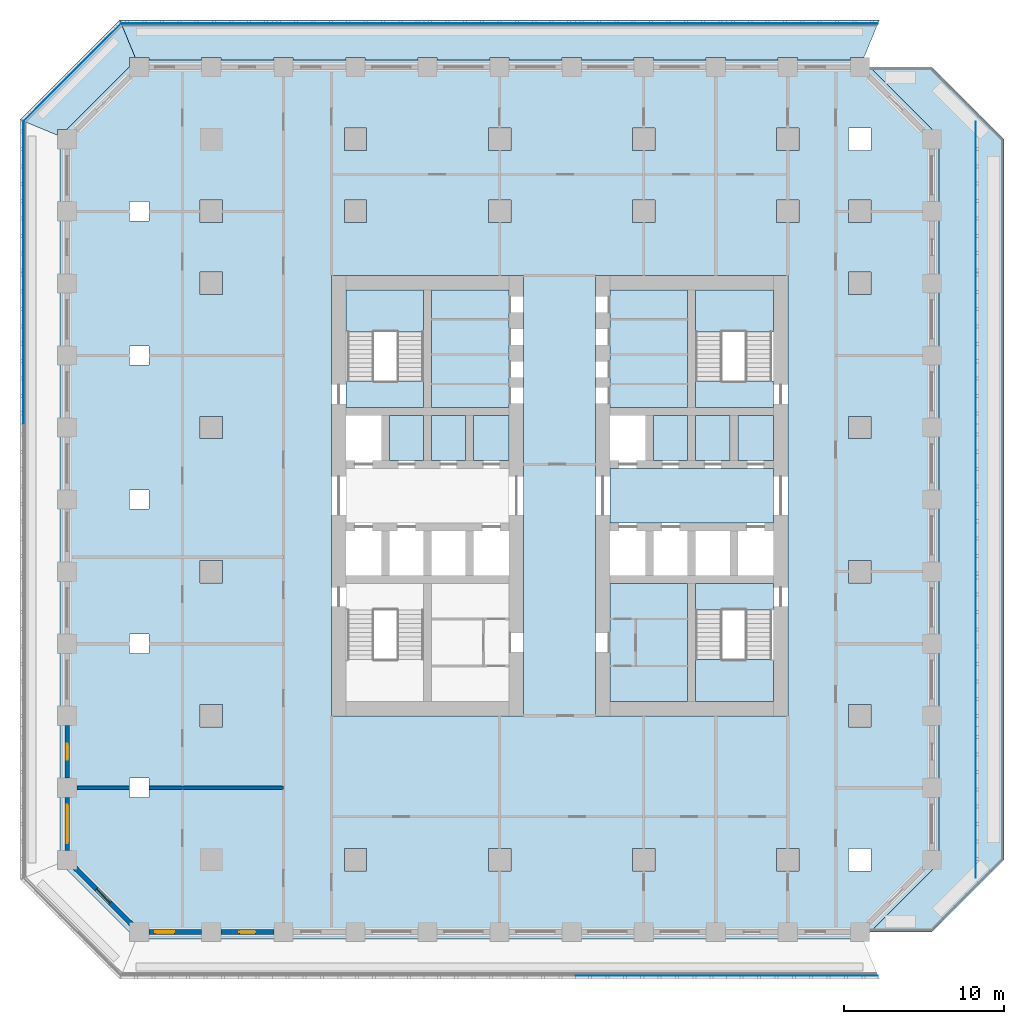
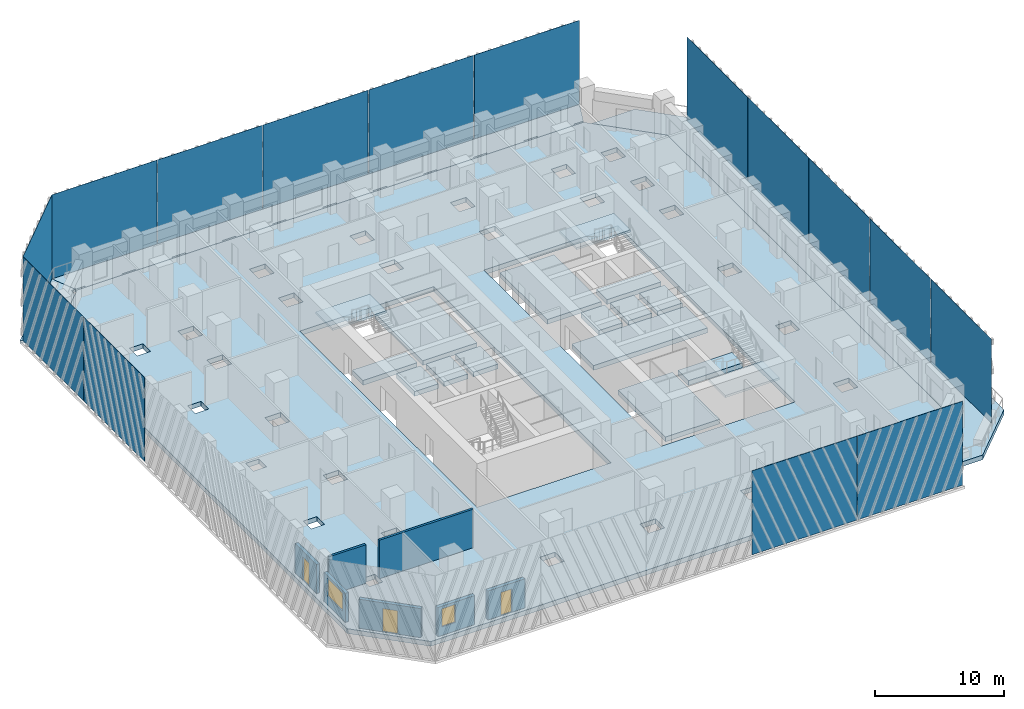
# One storey, part 2 of 19: 20 slabs, 15 plates, 7 walls, 3 doors, 2 windows, 5 openings, 3 elements without a shape of their own.
"""IFC4 building model written with IfcOpenShell, lengths in metres."""

import ifcopenshell
import ifcopenshell.guid

model = None  # the IFC model being written
_history = None  # IfcOwnerHistory: only IFC2X3 demands one
_inside = {}  # id of a spatial element -> (the spatial element, [elements in it])
_under = {}  # id of a project, library or spatial element -> (it, [spatial elements below it])
_declared = {}  # id of a project -> (the project, [libraries it declares])
_typed = {}  # id of a type object -> (the type object, [elements of that type])
_made_of = {}  # id of a material, layer set ... -> (it, [elements and type objects made of it])


def new_model(schema):
    """Start an empty IFC model of exactly this schema.

    Asked for "IFC4X3", IfcOpenShell would pick the latest addendum, in which some entities
    have other attributes; the version numbers below select the first issue.
    IFC2X3 requires an IfcOwnerHistory on every rooted entity: one is made here for all.
    """
    global model, _history
    if schema == "IFC4X3":
        model = ifcopenshell.file(schema_version=(4, 3, 0, 0))
    else:
        model = ifcopenshell.file(schema=schema)
    _inside.clear()
    _under.clear()
    _declared.clear()
    _typed.clear()
    _made_of.clear()
    _history = None
    if model.schema == "IFC2X3":
        org = make("IfcOrganization", Name="unknown")
        user = make(
            "IfcPersonAndOrganization",
            ThePerson=make("IfcPerson", FamilyName="unknown"),
            TheOrganization=org,
        )
        app = make(
            "IfcApplication",
            ApplicationDeveloper=org,
            Version="unknown",
            ApplicationFullName="unknown",
            ApplicationIdentifier="unknown",
        )
        _history = make(
            "IfcOwnerHistory",
            OwningUser=user,
            OwningApplication=app,
            ChangeAction="ADDED",
            CreationDate=0,
        )
    return model


def make(cls, **values):
    """One entity of the class cls with the attributes given. An attribute that is None is left unset."""
    return model.create_entity(
        cls, **{name: value for name, value in values.items() if value is not None}
    )


def rooted(cls, **values):
    """An entity with a GlobalId (a new one), such as an element, a storey or a relation."""
    return make(cls, GlobalId=ifcopenshell.guid.new(), OwnerHistory=_history, **values)


def si_unit(unit_type, name, prefix=None):
    """IfcSIUnit, for example si_unit("LENGTHUNIT", "METRE", prefix="MILLI")."""
    return make("IfcSIUnit", UnitType=unit_type, Prefix=prefix, Name=name)


def assignment(units):
    """IfcUnitAssignment: the units of a project."""
    return None if units is None else make("IfcUnitAssignment", Units=units)


def point(xyz):
    """IfcCartesianPoint."""
    return None if xyz is None else make("IfcCartesianPoint", Coordinates=xyz)


def direction(xyz):
    """IfcDirection."""
    return None if xyz is None else make("IfcDirection", DirectionRatios=xyz)


def frame(location, z_axis=None, x_axis=None):
    """IfcAxis2Placement3D, a coordinate frame: its origin and axes. An axis left out is left unset."""
    return make(
        "IfcAxis2Placement3D",
        Location=point(location),
        Axis=direction(z_axis),
        RefDirection=direction(x_axis),
    )


def frame_2d(location, x_axis=None):
    """IfcAxis2Placement2D, a coordinate frame in the plane: its origin and x axis."""
    return make(
        "IfcAxis2Placement2D", Location=point(location), RefDirection=direction(x_axis)
    )


def origin():
    """The frame at (0, 0, 0) with its axes left unset."""
    return frame((0.0, 0.0, 0.0))


def origin_2d():
    """The frame at (0, 0) in the plane with its x axis left unset."""
    return frame_2d((0.0, 0.0))


def place(relative_to, where):
    """IfcLocalPlacement: puts the frame where relative to a parent placement (None: the world)."""
    return make(
        "IfcLocalPlacement", PlacementRelTo=relative_to, RelativePlacement=where
    )


def context(
    kind, dimensions, precision=None, world=None, true_north=None, identifier=None
):
    """IfcGeometricRepresentationContext, for example the 3D "Model" context."""
    return make(
        "IfcGeometricRepresentationContext",
        ContextIdentifier=identifier,
        ContextType=kind,
        CoordinateSpaceDimension=dimensions,
        Precision=precision,
        WorldCoordinateSystem=world,
        TrueNorth=true_north,
    )


def subcontext(parent, identifier, kind, view, scale=None):
    """IfcGeometricRepresentationSubContext, for example "Body" below "Model"."""
    return make(
        "IfcGeometricRepresentationSubContext",
        ContextIdentifier=identifier,
        ContextType=kind,
        ParentContext=parent,
        TargetScale=scale,
        TargetView=view,
    )


def project(units=None, contexts=None):
    """IfcProject with its units and contexts."""
    return rooted(
        "IfcProject",
        Name="project",
        RepresentationContexts=contexts,
        UnitsInContext=assignment(units),
    )


def spatial(cls, under=None, at=None, **own):
    """A site, building, storey or space (cls), placed at a placement, below another one or the project."""
    s = rooted(cls, ObjectPlacement=at, **own)
    if under is not None:
        _under.setdefault(under.id(), (under, []))[1].append(s)
    return s


def polyline(points):
    """IfcPolyline through the points."""
    return make("IfcPolyline", Points=[point(p) for p in points])


def profile(cls, at=None, kind="AREA", **sizes):
    """A parametric profile (cls). Its sizes go by their IFC names, for example OverallWidth=200.0."""
    return make(cls, ProfileType=kind, Position=at, **sizes)


def rectangle(**sizes):
    """IfcRectangleProfileDef."""
    return profile("IfcRectangleProfileDef", **sizes)


def outline(outer, holes=None, kind="AREA"):
    """IfcArbitraryClosedProfileDef: a profile drawn as a closed curve; with holes, ...WithVoids."""
    if holes is None:
        return make("IfcArbitraryClosedProfileDef", ProfileType=kind, OuterCurve=outer)
    return make(
        "IfcArbitraryProfileDefWithVoids",
        ProfileType=kind,
        OuterCurve=outer,
        InnerCurves=holes,
    )


def extrude(swept, where, along, depth):
    """IfcExtrudedAreaSolid: the profile swept, set in the frame where, extruded along a direction by depth."""
    return make(
        "IfcExtrudedAreaSolid",
        SweptArea=swept,
        Position=where,
        ExtrudedDirection=direction(along),
        Depth=depth,
    )


def shape(context_of_items, identifier, shape_type, items):
    """IfcShapeRepresentation: the items that make up one representation, for example the "Body"."""
    return make(
        "IfcShapeRepresentation",
        ContextOfItems=context_of_items,
        RepresentationIdentifier=identifier,
        RepresentationType=shape_type,
        Items=items,
    )


def material(Name=None, Category=None):
    """IfcMaterial."""
    return make("IfcMaterial", Name=Name, Category=Category)


def layer(
    of_material, thickness, ventilated=None, Name=None, Category=None, Priority=None
):
    """IfcMaterialLayer: one layer of a wall or slab, of a material (None: an air gap)."""
    return make(
        "IfcMaterialLayer",
        Material=of_material,
        LayerThickness=thickness,
        IsVentilated=ventilated,
        Name=Name,
        Category=Category,
        Priority=Priority,
    )


def layer_set(layers, Name=None):
    """IfcMaterialLayerSet."""
    return make("IfcMaterialLayerSet", MaterialLayers=layers, LayerSetName=Name)


def made_of(thing, what):
    """Note that an element or type object is made of a material, layer set ...; save() writes the relation."""
    if what is not None:
        _made_of.setdefault(what.id(), (what, []))[1].append(thing)
    return thing


def type_object(cls, material=None, **own):
    """A type object (cls), such as IfcWallType, which elements share."""
    return made_of(rooted(cls, **own), material)


def element(
    cls,
    number,
    at=None,
    inside=None,
    cuts=None,
    type_object=None,
    material=None,
    context=None,
    identifier="Body",
    shape_type=None,
    held_by="IfcProductDefinitionShape",
    body=None,
    shapes=None,
    **own,
):
    """One element of the class cls, such as IfcWall. Its Tag is "e" and its number.

    at: its placement. inside: the storey or other place that contains it. cuts: it is an
    opening in that element (IfcRelVoidsElement). A single representation is given by context,
    identifier, shape_type and body (its items); several are given by shapes. held_by: the class
    of the entity that holds the representations. save() writes the other relations.
    """
    e = rooted(cls, Tag="e%d" % number, ObjectPlacement=at, **own)
    if body is not None:
        shapes = [shape(context, identifier, shape_type, body)]
    if shapes is not None:
        e.Representation = make(held_by, Representations=shapes)
    if inside is not None:
        _inside.setdefault(inside.id(), (inside, []))[1].append(e)
    if cuts is not None:
        rooted(
            "IfcRelVoidsElement", RelatingBuildingElement=cuts, RelatedOpeningElement=e
        )
    if type_object is not None:
        _typed.setdefault(type_object.id(), (type_object, []))[1].append(e)
    return made_of(e, material)


def fill(opening, filler):
    """IfcRelFillsElement: the door or window that sits in an opening."""
    return rooted(
        "IfcRelFillsElement",
        RelatingOpeningElement=opening,
        RelatedBuildingElement=filler,
    )


def aggregate(whole, parts):
    """IfcRelAggregates: a whole, such as a stair, and the parts it consists of."""
    return rooted("IfcRelAggregates", RelatingObject=whole, RelatedObjects=parts)


def save(model, path):
    """Write the relations noted so far, then the file.

    IfcRelAggregates (storeys below a building ...), IfcRelContainedInSpatialStructure (elements
    in a storey), IfcRelDefinesByType, IfcRelAssociatesMaterial and IfcRelDeclares: one each for
    every whole, place, type object, material and project.
    """
    for whole, parts in _under.values():
        aggregate(whole, parts)
    for where, things in _inside.values():
        rooted(
            "IfcRelContainedInSpatialStructure",
            RelatedElements=things,
            RelatingStructure=where,
        )
    for kind, things in _typed.values():
        rooted("IfcRelDefinesByType", RelatedObjects=things, RelatingType=kind)
    for what, things in _made_of.values():
        rooted("IfcRelAssociatesMaterial", RelatedObjects=things, RelatingMaterial=what)
    for by, libraries in _declared.values():
        rooted("IfcRelDeclares", RelatingContext=by, RelatedDefinitions=libraries)
    model.write(path)


model = new_model("IFC4")

# Units and contexts
model_context = context("Model", 3, precision=1e-05, world=origin(), true_north=direction((0.0, 1.0)))
body_context = subcontext(model_context, "Body", "Model", "MODEL_VIEW")
ifc_project = project(units=[si_unit("LENGTHUNIT", "METRE"), si_unit("AREAUNIT", "SQUARE_METRE"), si_unit("VOLUMEUNIT", "CUBIC_METRE"), si_unit("PLANEANGLEUNIT", "RADIAN"), si_unit("MASSUNIT", "GRAM", prefix="KILO")], contexts=[model_context])

# Site, building, storey
site_placement = place(None, origin())
site = spatial("IfcSite", under=ifc_project, at=site_placement, CompositionType="ELEMENT")
building_placement = place(site_placement, origin())
building = spatial("IfcBuilding", under=site, at=building_placement, Name="Corbel Stack Research Tower", CompositionType="ELEMENT")
storey_placement = place(building_placement, frame((0.0, 0.0, 116.699951171875)))
storey = spatial("IfcBuildingStorey", under=building, at=storey_placement, Name="L26", CompositionType="ELEMENT", Elevation=116.699951171875)

# Plates
ifc_material_1 = material(Name="Fritted glass", Category="glass")
ifc_layer_1 = layer(ifc_material_1, 0.02490234375)
ifc_layer_set_1 = layer_set([ifc_layer_1], Name="Fritted glass")
plate_type = type_object("IfcPlateType", Name="Fritted glass panel 25", PredefinedType="SHEET", material=ifc_layer_set_1)
for number, where, z_axis, x_axis, name in (
    (1, (9.45556640625, -25.237548828125, 0.0), (0.0, 0.0, 1.0), (1.0, 0.0, 0.0), "Fritted glass L26 S4"),
    (2, (18.911376953125, -25.237548828125, 0.0), (0.0, 0.0, 1.0), (1.0, 0.0, 0.0), "Fritted glass L26 S5"),
    (3, (29.737548828125, -14.411376953125, 0.0), (0.0, 0.0, 1.0), (0.0, 1.0, 0.0), "Fritted glass L26 E1"),
    (4, (29.737548828125, -4.95556640625, 0.0), (0.0, 0.0, 1.0), (0.0, 1.0, 0.0), "Fritted glass L26 E2"),
    (5, (29.737548828125, 4.5, 0.0), (0.0, 0.0, 1.0), (0.0, 1.0, 0.0), "Fritted glass L26 E3"),
    (6, (29.737548828125, 13.95556640625, 0.0), (0.0, 0.0, 1.0), (0.0, 1.0, 0.0), "Fritted glass L26 E4"),
    (7, (29.737548828125, 23.411376953125, 0.0), (0.0, 0.0, 1.0), (0.0, 1.0, 0.0), "Fritted glass L26 E5"),
    (8, (18.911376953125, 34.237548828125, 0.0), (0.0, 0.0, 1.0), (-1.0, 0.0, 0.0), "Fritted glass L26 N1"),
    (9, (9.45556640625, 34.237548828125, 0.0), (0.0, 0.0, 1.0), (-1.0, 0.0, 0.0), "Fritted glass L26 N2"),
    (10, (0.0, 34.237548828125, 0.0), (0.0, 0.0, 1.0), (-1.0, 0.0, 0.0), "Fritted glass L26 N3"),
    (11, (-9.45556640625, 34.237548828125, 0.0), (0.0, 0.0, 1.0), (-1.0, 0.0, 0.0), "Fritted glass L26 N4"),
    (12, (-18.911376953125, 34.237548828125, 0.0), (0.0, 0.0, 1.0), (-1.0, 0.0, 0.0), "Fritted glass L26 N5"),
):
    element("IfcPlate", number, at=place(storey_placement, frame(where, z_axis=z_axis, x_axis=x_axis)), inside=storey, type_object=plate_type, Name=name, PredefinedType="SHEET", context=body_context, shape_type="SweptSolid", body=[
        extrude(rectangle(XDim=9.3955078125, YDim=0.02490234375, at=origin_2d()), origin(), (0.0, 0.0, 1.0), 7.949951171875),
    ])
plate_placement = place(storey_placement, frame((-26.685791015625, 31.185791015625, 0.0), z_axis=(0.0, 0.0, 1.0), x_axis=(-0.707106781187, -0.707106781187, 0.0)))
element("IfcPlate", 13, at=plate_placement, inside=storey, type_object=plate_type, Name="Fritted glass L26 NW1", PredefinedType="SHEET", context=body_context, shape_type="SweptSolid", body=[
    extrude(rectangle(XDim=8.58203125, YDim=0.02490234375, at=origin_2d()), origin(), (0.0, 0.0, 1.0), 7.949951171875),
])
for number, where, z_axis, x_axis, name in (
    (14, (-29.737548828125, 23.411376953125, 0.0), (0.0, 0.0, 1.0), (0.0, -1.0, 0.0), "Fritted glass L26 W1"),
    (15, (-29.737548828125, 13.95556640625, 0.0), (0.0, 0.0, 1.0), (0.0, -1.0, 0.0), "Fritted glass L26 W2"),
):
    element("IfcPlate", number, at=place(storey_placement, frame(where, z_axis=z_axis, x_axis=x_axis)), inside=storey, type_object=plate_type, Name=name, PredefinedType="SHEET", context=body_context, shape_type="SweptSolid", body=[
        extrude(rectangle(XDim=9.3955078125, YDim=0.02490234375, at=origin_2d()), origin(), (0.0, 0.0, 1.0), 7.949951171875),
    ])

# Slabs
ifc_material_2 = material(Name="Concrete C45/55", Category="concrete")
ifc_layer_2 = layer(ifc_material_2, 0.25)
ifc_layer_set_2 = layer_set([ifc_layer_2], Name="Concrete C45/55")
slab_type_1 = type_object("IfcSlabType", Name="PT balcony slab 250 C45/55", PredefinedType="FLOOR", material=ifc_layer_set_2)
slab_1_placement = place(storey_placement, frame((0.0, 0.0, -0.25)))
element("IfcSlab", 16, at=slab_1_placement, inside=storey, type_object=slab_type_1, Name="Loggia slab L26 N", PredefinedType="FLOOR", context=body_context, shape_type="SweptSolid", body=[
    extrude(outline(polyline([(-22.74853515625, 32.10009765625), (-21.89990234375, 32.10009765625), (-21.89990234375, 31.949951171875), (-18.60009765625, 31.949951171875), (-18.60009765625, 32.10009765625), (-17.39990234375, 32.10009765625), (-17.39990234375, 31.949951171875), (-14.10009765625, 31.949951171875), (-14.10009765625, 32.10009765625), (-12.89990234375, 32.10009765625), (-12.89990234375, 31.949951171875), (-9.60009765625, 31.949951171875), (-9.60009765625, 32.10009765625), (-8.39990234375, 32.10009765625), (-8.39990234375, 31.949951171875), (-5.10009765625, 31.949951171875), (-5.10009765625, 32.10009765625), (-3.89990234375, 32.10009765625), (-3.89990234375, 31.949951171875), (-0.60009765625, 31.949951171875), (-0.60009765625, 32.10009765625), (0.60009765625, 32.10009765625), (0.60009765625, 31.949951171875), (3.89990234375, 31.949951171875), (3.89990234375, 32.10009765625), (5.10009765625, 32.10009765625), (5.10009765625, 31.949951171875), (8.39990234375, 31.949951171875), (8.39990234375, 32.10009765625), (9.60009765625, 32.10009765625), (9.60009765625, 31.949951171875), (12.89990234375, 31.949951171875), (12.89990234375, 32.10009765625), (14.10009765625, 32.10009765625), (14.10009765625, 31.949951171875), (17.39990234375, 31.949951171875), (17.39990234375, 32.10009765625), (18.60009765625, 32.10009765625), (18.60009765625, 31.949951171875), (21.89990234375, 31.949951171875), (21.89990234375, 32.10009765625), (22.74853515625, 32.10009765625), (23.721923828125, 34.449951171875), (-23.721923828125, 34.449951171875), (-22.74853515625, 32.10009765625)])), origin(), (0.0, 0.0, 1.0), 0.25),
])
slab_2_placement = place(storey_placement, frame((0.0, 0.0, -0.25)))
element("IfcSlab", 17, at=slab_2_placement, inside=storey, type_object=slab_type_1, Name="Loggia slab L26 NW", PredefinedType="FLOOR", context=body_context, shape_type="SweptSolid", body=[
    extrude(outline(polyline([(-27.60009765625, 27.24853515625), (-27.60009765625, 27.60009765625), (-27.036376953125, 27.60009765625), (-23.10009765625, 31.536376953125), (-23.10009765625, 32.10009765625), (-22.74853515625, 32.10009765625), (-23.721923828125, 34.449951171875), (-29.949951171875, 28.221923828125), (-27.60009765625, 27.24853515625)])), origin(), (0.0, 0.0, 1.0), 0.25),
])
ifc_material_3 = material(Name="Concrete C45/55", Category="concrete")
ifc_layer_3 = layer(ifc_material_3, 0.449951171875)
ifc_layer_set_3 = layer_set([ifc_layer_3], Name="Concrete C45/55")
slab_type_2 = type_object("IfcSlabType", Name="PT-450", PredefinedType="FLOOR", material=ifc_layer_set_3)
slab_3_placement = place(storey_placement, frame((0.0, 0.0, -0.449951171875)))
element("IfcSlab", 18, at=slab_3_placement, inside=storey, type_object=slab_type_2, Name="Floor slab L26", PredefinedType="FLOOR", context=body_context, shape_type="SweptSolid", body=[
    extrude(outline(polyline([(-22.686279296875, -22.949951171875), (22.686279296875, -22.949951171875), (27.449951171875, -18.186279296875), (27.449951171875, 27.186279296875), (22.686279296875, 31.949951171875), (-22.686279296875, 31.949951171875), (-27.449951171875, 27.186279296875), (-27.449951171875, -18.186279296875), (-22.686279296875, -22.949951171875)]), holes=[polyline([(21.800048828125, 26.300048828125), (21.800048828125, 27.699951171875), (23.199951171875, 27.699951171875), (23.199951171875, 26.300048828125), (21.800048828125, 26.300048828125)]), polyline([(21.800048828125, -18.699951171875), (21.800048828125, -17.300048828125), (23.199951171875, -17.300048828125), (23.199951171875, -18.699951171875), (21.800048828125, -18.699951171875)]), polyline([(21.800048828125, -9.699951171875), (21.800048828125, -8.300048828125), (23.199951171875, -8.300048828125), (23.199951171875, -9.699951171875), (21.800048828125, -9.699951171875)]), polyline([(21.800048828125, -0.699951171875), (21.800048828125, 0.699951171875), (23.199951171875, 0.699951171875), (23.199951171875, -0.699951171875), (21.800048828125, -0.699951171875)]), polyline([(21.800048828125, 8.300048828125), (21.800048828125, 9.699951171875), (23.199951171875, 9.699951171875), (23.199951171875, 8.300048828125), (21.800048828125, 8.300048828125)]), polyline([(21.800048828125, 17.300048828125), (21.800048828125, 18.699951171875), (23.199951171875, 18.699951171875), (23.199951171875, 17.300048828125), (21.800048828125, 17.300048828125)]), polyline([(21.800048828125, 21.800048828125), (21.800048828125, 23.199951171875), (23.199951171875, 23.199951171875), (23.199951171875, 21.800048828125), (21.800048828125, 21.800048828125)]), polyline([(17.300048828125, 26.300048828125), (17.300048828125, 27.699951171875), (18.699951171875, 27.699951171875), (18.699951171875, 26.300048828125), (17.300048828125, 26.300048828125)]), polyline([(17.300048828125, 21.800048828125), (17.300048828125, 23.199951171875), (18.699951171875, 23.199951171875), (18.699951171875, 21.800048828125), (17.300048828125, 21.800048828125)]), polyline([(17.300048828125, -18.699951171875), (17.300048828125, -17.300048828125), (18.699951171875, -17.300048828125), (18.699951171875, -18.699951171875), (17.300048828125, -18.699951171875)]), polyline([(6.0, -9.0), (6.0, 18.5), (18.0, 18.5), (18.0, -9.0), (6.0, -9.0)]), polyline([(8.300048828125, 26.300048828125), (8.300048828125, 27.699951171875), (9.699951171875, 27.699951171875), (9.699951171875, 26.300048828125), (8.300048828125, 26.300048828125)]), polyline([(8.300048828125, 21.800048828125), (8.300048828125, 23.199951171875), (9.699951171875, 23.199951171875), (9.699951171875, 21.800048828125), (8.300048828125, 21.800048828125)]), polyline([(8.300048828125, -18.699951171875), (8.300048828125, -17.300048828125), (9.699951171875, -17.300048828125), (9.699951171875, -18.699951171875), (8.300048828125, -18.699951171875)]), polyline([(-10.5, -9.0), (-10.5, 18.5), (1.5, 18.5), (1.5, -9.0), (-10.5, -9.0)]), polyline([(-0.699951171875, 26.300048828125), (-0.699951171875, 27.699951171875), (0.699951171875, 27.699951171875), (0.699951171875, 26.300048828125), (-0.699951171875, 26.300048828125)]), polyline([(-0.699951171875, 21.800048828125), (-0.699951171875, 23.199951171875), (0.699951171875, 23.199951171875), (0.699951171875, 21.800048828125), (-0.699951171875, 21.800048828125)]), polyline([(-0.699951171875, -18.699951171875), (-0.699951171875, -17.300048828125), (0.699951171875, -17.300048828125), (0.699951171875, -18.699951171875), (-0.699951171875, -18.699951171875)]), polyline([(-9.699951171875, 26.300048828125), (-9.699951171875, 27.699951171875), (-8.300048828125, 27.699951171875), (-8.300048828125, 26.300048828125), (-9.699951171875, 26.300048828125)]), polyline([(-9.699951171875, 21.800048828125), (-9.699951171875, 23.199951171875), (-8.300048828125, 23.199951171875), (-8.300048828125, 21.800048828125), (-9.699951171875, 21.800048828125)]), polyline([(-8.300048828125, -18.699951171875), (-9.699951171875, -18.699951171875), (-9.699951171875, -17.300048828125), (-8.300048828125, -17.300048828125), (-8.300048828125, -18.699951171875)]), polyline([(-18.699951171875, 21.800048828125), (-18.699951171875, 23.199951171875), (-17.300048828125, 23.199951171875), (-17.300048828125, 21.800048828125), (-18.699951171875, 21.800048828125)]), polyline([(-18.699951171875, 17.300048828125), (-18.699951171875, 18.699951171875), (-17.300048828125, 18.699951171875), (-17.300048828125, 17.300048828125), (-18.699951171875, 17.300048828125)]), polyline([(-18.699951171875, 8.300048828125), (-18.699951171875, 9.699951171875), (-17.300048828125, 9.699951171875), (-17.300048828125, 8.300048828125), (-18.699951171875, 8.300048828125)]), polyline([(-18.699951171875, -0.699951171875), (-18.699951171875, 0.699951171875), (-17.300048828125, 0.699951171875), (-17.300048828125, -0.699951171875), (-18.699951171875, -0.699951171875)]), polyline([(-18.699951171875, -9.699951171875), (-18.699951171875, -8.300048828125), (-17.300048828125, -8.300048828125), (-17.300048828125, -9.699951171875), (-18.699951171875, -9.699951171875)]), polyline([(-23.10009765625, 21.89990234375), (-23.10009765625, 23.10009765625), (-21.89990234375, 23.10009765625), (-21.89990234375, 21.89990234375), (-23.10009765625, 21.89990234375)]), polyline([(-23.10009765625, 12.89990234375), (-23.10009765625, 14.10009765625), (-21.89990234375, 14.10009765625), (-21.89990234375, 12.89990234375), (-23.10009765625, 12.89990234375)]), polyline([(-23.10009765625, 3.89990234375), (-23.10009765625, 5.10009765625), (-21.89990234375, 5.10009765625), (-21.89990234375, 3.89990234375), (-23.10009765625, 3.89990234375)]), polyline([(-23.10009765625, -5.10009765625), (-23.10009765625, -3.89990234375), (-21.89990234375, -3.89990234375), (-21.89990234375, -5.10009765625), (-23.10009765625, -5.10009765625)]), polyline([(-23.10009765625, -14.10009765625), (-23.10009765625, -12.89990234375), (-21.89990234375, -12.89990234375), (-21.89990234375, -14.10009765625), (-23.10009765625, -14.10009765625)])]), origin(), (0.0, 0.0, 1.0), 0.449951171875),
])
slab_4_placement = place(storey_placement, frame((0.0, 0.0, -0.449951171875)))
element("IfcSlab", 19, at=slab_4_placement, inside=storey, type_object=slab_type_2, Name="West core floor L26", PredefinedType="FLOOR", context=body_context, shape_type="SweptSolid", body=[
    extrude(outline(polyline([(-6.875, 6.949951171875), (-4.75, 6.949951171875), (-4.75, 9.75), (-6.875, 9.75), (-6.875, 6.949951171875)])), origin(), (0.0, 0.0, 1.0), 0.449951171875),
])
slab_5_placement = place(storey_placement, frame((0.0, 0.0, -0.449951171875)))
element("IfcSlab", 20, at=slab_5_placement, inside=storey, type_object=slab_type_2, Name="West core floor L26", PredefinedType="FLOOR", context=body_context, shape_type="SweptSolid", body=[
    extrude(outline(polyline([(-2.125, 6.949951171875), (-2.125, 9.75), (-4.25, 9.75), (-4.25, 6.949951171875), (-2.125, 6.949951171875)])), origin(), (0.0, 0.0, 1.0), 0.449951171875),
])
slab_6_placement = place(storey_placement, frame((0.0, 0.0, -0.449951171875)))
element("IfcSlab", 21, at=slab_6_placement, inside=storey, type_object=slab_type_2, Name="West core floor L26", PredefinedType="FLOOR", context=body_context, shape_type="SweptSolid", body=[
    extrude(outline(polyline([(0.60009765625, 17.60009765625), (-4.25, 17.60009765625), (-4.25, 10.25), (0.60009765625, 10.25), (0.60009765625, 17.60009765625)])), origin(), (0.0, 0.0, 1.0), 0.449951171875),
])
slab_7_placement = place(storey_placement, frame((0.0, 0.0, -0.449951171875)))
element("IfcSlab", 22, at=slab_7_placement, inside=storey, type_object=slab_type_2, Name="West core floor L26", PredefinedType="FLOOR", context=body_context, shape_type="SweptSolid", body=[
    extrude(outline(polyline([(0.60009765625, 9.75), (-1.625, 9.75), (-1.625, 6.949951171875), (0.60009765625, 6.949951171875), (0.60009765625, 9.75)])), origin(), (0.0, 0.0, 1.0), 0.449951171875),
])
slab_8_placement = place(storey_placement, frame((0.0, 0.0, -0.449951171875)))
element("IfcSlab", 23, at=slab_8_placement, inside=storey, type_object=slab_type_2, Name="East core floor L26", PredefinedType="FLOOR", context=body_context, shape_type="SweptSolid", body=[
    extrude(outline(polyline([(11.75, -0.75), (6.89990234375, -0.75), (6.89990234375, -8.10009765625), (11.75, -8.10009765625), (11.75, -0.75)])), origin(), (0.0, 0.0, 1.0), 0.449951171875),
])
slab_9_placement = place(storey_placement, frame((0.0, 0.0, -0.449951171875)))
element("IfcSlab", 24, at=slab_9_placement, inside=storey, type_object=slab_type_2, Name="East core floor L26", PredefinedType="FLOOR", context=body_context, shape_type="SweptSolid", body=[
    extrude(outline(polyline([(6.89990234375, 6.449951171875), (6.89990234375, 3.050048828125), (17.10009765625, 3.050048828125), (17.10009765625, 6.449951171875), (6.89990234375, 6.449951171875)])), origin(), (0.0, 0.0, 1.0), 0.449951171875),
])
slab_10_placement = place(storey_placement, frame((0.0, 0.0, -0.449951171875)))
element("IfcSlab", 25, at=slab_10_placement, inside=storey, type_object=slab_type_2, Name="East core floor L26", PredefinedType="FLOOR", context=body_context, shape_type="SweptSolid", body=[
    extrude(outline(polyline([(6.89990234375, 17.60009765625), (6.89990234375, 10.25), (11.75, 10.25), (11.75, 17.60009765625), (6.89990234375, 17.60009765625)])), origin(), (0.0, 0.0, 1.0), 0.449951171875),
])
slab_11_placement = place(storey_placement, frame((0.0, 0.0, -0.449951171875)))
element("IfcSlab", 26, at=slab_11_placement, inside=storey, type_object=slab_type_2, Name="East core floor L26", PredefinedType="FLOOR", context=body_context, shape_type="SweptSolid", body=[
    extrude(outline(polyline([(9.625, 6.949951171875), (11.75, 6.949951171875), (11.75, 9.75), (9.625, 9.75), (9.625, 6.949951171875)])), origin(), (0.0, 0.0, 1.0), 0.449951171875),
])
slab_12_placement = place(storey_placement, frame((0.0, 0.0, -0.449951171875)))
element("IfcSlab", 27, at=slab_12_placement, inside=storey, type_object=slab_type_2, Name="East core floor L26", PredefinedType="FLOOR", context=body_context, shape_type="SweptSolid", body=[
    extrude(outline(polyline([(14.375, 6.949951171875), (14.375, 9.75), (12.25, 9.75), (12.25, 6.949951171875), (14.375, 6.949951171875)])), origin(), (0.0, 0.0, 1.0), 0.449951171875),
])
slab_13_placement = place(storey_placement, frame((0.0, 0.0, -0.449951171875)))
element("IfcSlab", 28, at=slab_13_placement, inside=storey, type_object=slab_type_2, Name="East core floor L26", PredefinedType="FLOOR", context=body_context, shape_type="SweptSolid", body=[
    extrude(outline(polyline([(17.10009765625, 6.949951171875), (17.10009765625, 9.75), (14.875, 9.75), (14.875, 6.949951171875), (17.10009765625, 6.949951171875)])), origin(), (0.0, 0.0, 1.0), 0.449951171875),
])
slab_14_placement = place(storey_placement, frame((0.0, 0.0, -0.449951171875)))
element("IfcSlab", 29, at=slab_14_placement, inside=storey, type_object=slab_type_2, Name="Stair floor landing ST-W2", PredefinedType="FLOOR", context=body_context, shape_type="SweptSolid", body=[
    extrude(outline(polyline([(-9.60009765625, 10.25), (-4.75, 10.25), (-4.75, 11.89990234375), (-9.60009765625, 11.89990234375), (-9.60009765625, 10.25)])), origin(), (0.0, 0.0, 1.0), 0.449951171875),
])
slab_15_placement = place(storey_placement, frame((0.0, 0.0, -0.449951171875)))
element("IfcSlab", 30, at=slab_15_placement, inside=storey, type_object=slab_type_2, Name="Stair floor landing ST-E1", PredefinedType="FLOOR", context=body_context, shape_type="SweptSolid", body=[
    extrude(outline(polyline([(12.25, -2.39990234375), (17.10009765625, -2.39990234375), (17.10009765625, -0.75), (12.25, -0.75), (12.25, -2.39990234375)])), origin(), (0.0, 0.0, 1.0), 0.449951171875),
])
slab_16_placement = place(storey_placement, frame((0.0, 0.0, -0.449951171875)))
element("IfcSlab", 31, at=slab_16_placement, inside=storey, type_object=slab_type_2, Name="Stair floor landing ST-E2", PredefinedType="FLOOR", context=body_context, shape_type="SweptSolid", body=[
    extrude(outline(polyline([(12.25, 10.25), (17.10009765625, 10.25), (17.10009765625, 11.89990234375), (12.25, 11.89990234375), (12.25, 10.25)])), origin(), (0.0, 0.0, 1.0), 0.449951171875),
])

# Stair, slab
ifc_material_4 = material(Name="Concrete C40/50", Category="concrete")
stair_type = type_object("IfcStairType", Name="Exit stair 24 risers", PredefinedType="HALF_TURN_STAIR", material=ifc_material_4)
stair_1_placement = place(storey_placement, origin())
stair_1 = element("IfcStair", 32, at=stair_1_placement, inside=storey, type_object=stair_type, Name="L26 Exit stair ST-W2", PredefinedType="HALF_TURN_STAIR")
ifc_material_5 = material(Name="Concrete C40/50", Category="concrete")
ifc_layer_4 = layer(ifc_material_5, 0.199951171875)
ifc_layer_set_4 = layer_set([ifc_layer_4], Name="Concrete C40/50")
slab_type_3 = type_object("IfcSlabType", Name="Stair landing 200 C40/50", PredefinedType="LANDING", material=ifc_layer_set_4)
slab_17_placement = place(storey_placement, frame((0.0, 0.0, 1.85009765625)))
slab_17 = element("IfcSlab", 33, at=slab_17_placement, type_object=slab_type_3, Name="ST-W2 landing 1", PredefinedType="LANDING", context=body_context, shape_type="SweptSolid", body=[
    extrude(outline(polyline([(-9.60009765625, 14.97998046875), (-9.60009765625, 17.60009765625), (-4.75, 17.60009765625), (-4.75, 14.97998046875), (-9.60009765625, 14.97998046875)])), origin(), (0.0, 0.0, 1.0), 0.199951171875),
])
aggregate(stair_1, [slab_17])

stair_2_placement = place(storey_placement, origin())
stair_2 = element("IfcStair", 34, at=stair_2_placement, inside=storey, type_object=stair_type, Name="L26 Exit stair ST-E1", PredefinedType="HALF_TURN_STAIR")
slab_18_placement = place(storey_placement, frame((0.0, 0.0, 1.85009765625)))
slab_18 = element("IfcSlab", 35, at=slab_18_placement, type_object=slab_type_3, Name="ST-E1 landing 1", PredefinedType="LANDING", context=body_context, shape_type="SweptSolid", body=[
    extrude(outline(polyline([(12.25, -8.10009765625), (12.25, -5.47998046875), (17.10009765625, -5.47998046875), (17.10009765625, -8.10009765625), (12.25, -8.10009765625)])), origin(), (0.0, 0.0, 1.0), 0.199951171875),
])
aggregate(stair_2, [slab_18])

stair_3_placement = place(storey_placement, origin())
stair_3 = element("IfcStair", 36, at=stair_3_placement, inside=storey, type_object=stair_type, Name="L26 Exit stair ST-E2", PredefinedType="HALF_TURN_STAIR")
slab_19_placement = place(storey_placement, frame((0.0, 0.0, 1.85009765625)))
slab_19 = element("IfcSlab", 37, at=slab_19_placement, type_object=slab_type_3, Name="ST-E2 landing 1", PredefinedType="LANDING", context=body_context, shape_type="SweptSolid", body=[
    extrude(outline(polyline([(12.25, 14.97998046875), (12.25, 17.60009765625), (17.10009765625, 17.60009765625), (17.10009765625, 14.97998046875), (12.25, 14.97998046875)])), origin(), (0.0, 0.0, 1.0), 0.199951171875),
])
aggregate(stair_3, [slab_19])

# Slab
ifc_material_6 = material(Name="Concrete C45/55", Category="concrete")
ifc_layer_5 = layer(ifc_material_6, 0.449951171875)
ifc_layer_set_5 = layer_set([ifc_layer_5], Name="Concrete C45/55")
slab_type_4 = type_object("IfcSlabType", Name="TS-450", PredefinedType="ROOF", material=ifc_layer_set_5)
slab_20_placement = place(storey_placement, frame((0.0, 0.0, -0.449951171875)))
element("IfcSlab", 38, at=slab_20_placement, inside=storey, type_object=slab_type_4, Name="Terrace slab L26", PredefinedType="ROOF", context=body_context, shape_type="SweptSolid", body=[
    extrude(outline(polyline([(23.136474609375, 31.5), (27.449951171875, 27.186279296875), (27.449951171875, -18.186279296875), (23.136474609375, -22.5), (27.0, -22.5), (31.5, -18.0), (31.5, 27.0), (27.0, 31.5), (23.136474609375, 31.5)])), origin(), (0.0, 0.0, 1.0), 0.449951171875),
])

# Walls
ifc_material_7 = material(Name="Fire-rated gypsum board partition on steel studs", Category="steel")
ifc_layer_6 = layer(ifc_material_7, 0.199951171875)
ifc_layer_set_6 = layer_set([ifc_layer_6], Name="Fire-rated gypsum board partition on steel studs")
wall_type_1 = type_object("IfcWallType", Name="Fire-rated partition 200 EI 60", PredefinedType="PARTITIONING", material=ifc_layer_set_6)
wall_1_placement = place(storey_placement, frame((-26.39990234375, -13.5, 0.0), z_axis=(0.0, 0.0, 1.0), x_axis=(1.0, 0.0, 0.0)))
element("IfcWall", 39, at=wall_1_placement, inside=storey, type_object=wall_type_1, Name="Partition L26-024", PredefinedType="PARTITIONING", context=body_context, shape_type="SweptSolid", body=[
    extrude(rectangle(XDim=3.2998046875, YDim=0.199951171875, at=frame_2d((1.64990234375, 0.0))), origin(), (0.0, 0.0, 1.0), 3.650146484375),
])
wall_2_placement = place(storey_placement, frame((-21.89990234375, -13.5, 0.0), z_axis=(0.0, 0.0, 1.0), x_axis=(1.0, 0.0, 0.0)))
element("IfcWall", 40, at=wall_2_placement, inside=storey, type_object=wall_type_1, Name="Partition L26-025", PredefinedType="PARTITIONING", context=body_context, shape_type="SweptSolid", body=[
    extrude(rectangle(XDim=8.39990234375, YDim=0.199951171875, at=frame_2d((4.199951171875, 0.0))), origin(), (0.0, 0.0, 1.0), 3.650146484375),
])

# Wall, opening, window
ifc_material_8 = material(Name="Concrete C45/55", Category="concrete")
ifc_layer_7 = layer(ifc_material_8, 0.300048828125)
ifc_layer_set_7 = layer_set([ifc_layer_7], Name="Concrete C45/55")
wall_type_2 = type_object("IfcWallType", Name="Terracotta-faced concrete wall 300", PredefinedType="SOLIDWALL", material=ifc_layer_set_7)
wall_3_placement = place(storey_placement, frame((-18.60009765625, -22.5, 0.0), z_axis=(0.0, 0.0, 1.0), x_axis=(-1.0, 0.0, 0.0)))
wall_3 = element("IfcWall", 41, at=wall_3_placement, inside=storey, type_object=wall_type_2, Name="Facade wall L26 S01", PredefinedType="SOLIDWALL", context=body_context, shape_type="SweptSolid", body=[
    extrude(rectangle(XDim=3.2998046875, YDim=0.300048828125, at=frame_2d((1.64990234375, 0.0))), origin(), (0.0, 0.0, 1.0), 2.75),
])
opening_1_placement = place(wall_3_placement, frame((1.71240234375, 0.0, 0.800048828125)))
opening_1 = element("IfcOpeningElement", 42, at=opening_1_placement, cuts=wall_3, Name="Opening W2", PredefinedType="OPENING", context=body_context, shape_type="SweptSolid", body=[
    extrude(rectangle(XDim=1.199951171875, YDim=1.699951171875, at=frame_2d((0.60009765625, 0.85009765625))), frame((0.0, 0.159912109375, 0.0), z_axis=(0.0, -1.0, 0.0), x_axis=(1.0, 0.0, 0.0)), (0.0, 0.0, 1.0), 0.320068359375),
])
ifc_material_9 = material(Name="Aluminium frame, clear double glazing", Category="aluminium")
window_type_1 = type_object("IfcWindowType", Name="Window W2 1200 x 1700", PartitioningType="SINGLE_PANEL", PredefinedType="WINDOW", material=ifc_material_9)
window_1_placement = place(opening_1_placement, origin())
window_1 = element("IfcWindow", 43, at=window_1_placement, inside=storey, type_object=window_type_1, Name="Window W2 L26 S01", OverallHeight=1.699951171875, OverallWidth=1.199951171875, PartitioningType="SINGLE_PANEL", PredefinedType="WINDOW", context=body_context, shape_type="SweptSolid", body=[
    extrude(rectangle(XDim=1.199951171875, YDim=1.699951171875, at=frame_2d((0.60009765625, 0.85009765625))), frame((0.0, 0.030029296875, 0.0), z_axis=(0.0, -1.0, 0.0), x_axis=(1.0, 0.0, 0.0)), (0.0, 0.0, 1.0), 0.06005859375),
])
fill(opening_1, window_1)

# Wall, opening, door
wall_4_placement = place(storey_placement, frame((-14.10009765625, -22.5, 0.0), z_axis=(0.0, 0.0, 1.0), x_axis=(-1.0, 0.0, 0.0)))
wall_4 = element("IfcWall", 44, at=wall_4_placement, inside=storey, type_object=wall_type_2, Name="Facade wall L26 S02", PredefinedType="SOLIDWALL", context=body_context, shape_type="SweptSolid", body=[
    extrude(rectangle(XDim=3.2998046875, YDim=0.300048828125, at=frame_2d((1.64990234375, 0.0))), origin(), (0.0, 0.0, 1.0), 2.75),
])
opening_2_placement = place(wall_4_placement, frame((1.14990234375, 0.0, 0.0)))
opening_2 = element("IfcOpeningElement", 45, at=opening_2_placement, cuts=wall_4, Name="Opening L26-B01", PredefinedType="OPENING", context=body_context, shape_type="SweptSolid", body=[
    extrude(rectangle(XDim=1.0, YDim=2.199951171875, at=frame_2d((0.5, 1.10009765625))), frame((0.0, 0.159912109375, 0.0), z_axis=(0.0, -1.0, 0.0), x_axis=(1.0, 0.0, 0.0)), (0.0, 0.0, 1.0), 0.320068359375),
])
ifc_material_10 = material(Name="Aluminium frame, clear double glazing", Category="aluminium")
door_type_1 = type_object("IfcDoorType", Name="Balcony door BD1 1000 x 2200", OperationType="NOTDEFINED", PredefinedType="DOOR", material=ifc_material_10)
door_1_placement = place(opening_2_placement, origin())
door_1 = element("IfcDoor", 46, at=door_1_placement, inside=storey, type_object=door_type_1, Name="Balcony door L26-B01", OperationType="SINGLE_SWING_RIGHT", OverallHeight=2.199951171875, OverallWidth=1.0, PredefinedType="DOOR", context=body_context, shape_type="SweptSolid", body=[
    extrude(rectangle(XDim=1.0, YDim=2.199951171875, at=frame_2d((0.5, 1.10009765625))), frame((0.0, 0.02490234375, 0.0), z_axis=(0.0, -1.0, 0.0), x_axis=(1.0, 0.0, 0.0)), (0.0, 0.0, 1.0), 0.050048828125),
])
fill(opening_2, door_1)

wall_5_placement = place(storey_placement, frame((-27.0, -12.89990234375, 0.0), z_axis=(0.0, 0.0, 1.0), x_axis=(0.0, 1.0, 0.0)))
wall_5 = element("IfcWall", 47, at=wall_5_placement, inside=storey, type_object=wall_type_2, Name="Facade wall L26 W09", PredefinedType="SOLIDWALL", context=body_context, shape_type="SweptSolid", body=[
    extrude(rectangle(XDim=3.2998046875, YDim=0.300048828125, at=frame_2d((1.64990234375, 0.0))), origin(), (0.0, 0.0, 1.0), 2.75),
])
opening_3_placement = place(wall_5_placement, frame((1.14990234375, 0.0, 0.0)))
opening_3 = element("IfcOpeningElement", 48, at=opening_3_placement, cuts=wall_5, Name="Opening L26-B11", PredefinedType="OPENING", context=body_context, shape_type="SweptSolid", body=[
    extrude(rectangle(XDim=1.0, YDim=2.199951171875, at=frame_2d((0.5, 1.10009765625))), frame((0.0, 0.159912109375, 0.0), z_axis=(0.0, -1.0, 0.0), x_axis=(1.0, 0.0, 0.0)), (0.0, 0.0, 1.0), 0.320068359375),
])
door_2_placement = place(opening_3_placement, origin())
door_2 = element("IfcDoor", 49, at=door_2_placement, inside=storey, type_object=door_type_1, Name="Balcony door L26-B11", OperationType="SINGLE_SWING_LEFT", OverallHeight=2.199951171875, OverallWidth=1.0, PredefinedType="DOOR", context=body_context, shape_type="SweptSolid", body=[
    extrude(rectangle(XDim=1.0, YDim=2.199951171875, at=frame_2d((0.5, 1.10009765625))), frame((0.0, 0.02490234375, 0.0), z_axis=(0.0, -1.0, 0.0), x_axis=(1.0, 0.0, 0.0)), (0.0, 0.0, 1.0), 0.050048828125),
])
fill(opening_3, door_2)

# Wall, opening, window
wall_6_placement = place(storey_placement, frame((-27.0, -17.39990234375, 0.0), z_axis=(0.0, 0.0, 1.0), x_axis=(0.0, 1.0, 0.0)))
wall_6 = element("IfcWall", 50, at=wall_6_placement, inside=storey, type_object=wall_type_2, Name="Facade wall L26 W10", PredefinedType="SOLIDWALL", context=body_context, shape_type="SweptSolid", body=[
    extrude(rectangle(XDim=3.2998046875, YDim=0.300048828125, at=frame_2d((1.64990234375, 0.0))), origin(), (0.0, 0.0, 1.0), 2.75),
])
opening_4_placement = place(wall_6_placement, frame((0.449951171875, 0.0, 0.800048828125)))
opening_4 = element("IfcOpeningElement", 51, at=opening_4_placement, cuts=wall_6, Name="Opening W1", PredefinedType="OPENING", context=body_context, shape_type="SweptSolid", body=[
    extrude(rectangle(XDim=2.39990234375, YDim=1.699951171875, at=frame_2d((1.199951171875, 0.85009765625))), frame((0.0, 0.159912109375, 0.0), z_axis=(0.0, -1.0, 0.0), x_axis=(1.0, 0.0, 0.0)), (0.0, 0.0, 1.0), 0.320068359375),
])
ifc_material_11 = material(Name="Aluminium frame, clear double glazing", Category="aluminium")
window_type_2 = type_object("IfcWindowType", Name="Window W1 2400 x 1700", PartitioningType="SINGLE_PANEL", PredefinedType="WINDOW", material=ifc_material_11)
window_2_placement = place(opening_4_placement, origin())
window_2 = element("IfcWindow", 52, at=window_2_placement, inside=storey, type_object=window_type_2, Name="Window W1 L26 W10", OverallHeight=1.699951171875, OverallWidth=2.39990234375, PartitioningType="SINGLE_PANEL", PredefinedType="WINDOW", context=body_context, shape_type="SweptSolid", body=[
    extrude(rectangle(XDim=2.39990234375, YDim=1.699951171875, at=frame_2d((1.199951171875, 0.85009765625))), frame((0.0, 0.030029296875, 0.0), z_axis=(0.0, -1.0, 0.0), x_axis=(1.0, 0.0, 0.0)), (0.0, 0.0, 1.0), 0.06005859375),
])
fill(opening_4, window_2)

# Wall, opening, door
wall_7_placement = place(storey_placement, frame((-22.993896484375, -22.006103515625, 0.0), z_axis=(0.0, 0.0, 1.0), x_axis=(-0.707106781187, 0.707106781187, 0.0)))
wall_7 = element("IfcWall", 53, at=wall_7_placement, inside=storey, type_object=wall_type_2, Name="Facade wall L26 SW01", PredefinedType="SOLIDWALL", context=body_context, shape_type="SweptSolid", body=[
    extrude(rectangle(XDim=4.967041015625, YDim=0.300048828125, at=frame_2d((2.4833984375, 0.0))), origin(), (0.0, 0.0, 1.0), 2.75),
])
opening_5_placement = place(wall_7_placement, frame((1.883544921875, 0.0, 0.0)))
opening_5 = element("IfcOpeningElement", 54, at=opening_5_placement, cuts=wall_7, Name="Opening L26-B12", PredefinedType="OPENING", context=body_context, shape_type="SweptSolid", body=[
    extrude(rectangle(XDim=1.199951171875, YDim=2.199951171875, at=frame_2d((0.60009765625, 1.10009765625))), frame((0.0, 0.159912109375, 0.0), z_axis=(0.0, -1.0, 0.0), x_axis=(1.0, 0.0, 0.0)), (0.0, 0.0, 1.0), 0.320068359375),
])
ifc_material_12 = material(Name="Aluminium frame, clear double glazing", Category="aluminium")
door_type_2 = type_object("IfcDoorType", Name="Balcony door BD2 1200 x 2200", OperationType="NOTDEFINED", PredefinedType="DOOR", material=ifc_material_12)
door_3_placement = place(opening_5_placement, origin())
door_3 = element("IfcDoor", 55, at=door_3_placement, inside=storey, type_object=door_type_2, Name="Balcony door L26-B12", OperationType="SINGLE_SWING_LEFT", OverallHeight=2.199951171875, OverallWidth=1.199951171875, PredefinedType="DOOR", context=body_context, shape_type="SweptSolid", body=[
    extrude(rectangle(XDim=1.199951171875, YDim=2.199951171875, at=frame_2d((0.60009765625, 1.10009765625))), frame((0.0, 0.02490234375, 0.0), z_axis=(0.0, -1.0, 0.0), x_axis=(1.0, 0.0, 0.0)), (0.0, 0.0, 1.0), 0.050048828125),
])
fill(opening_5, door_3)

save(model, "model.ifc")
